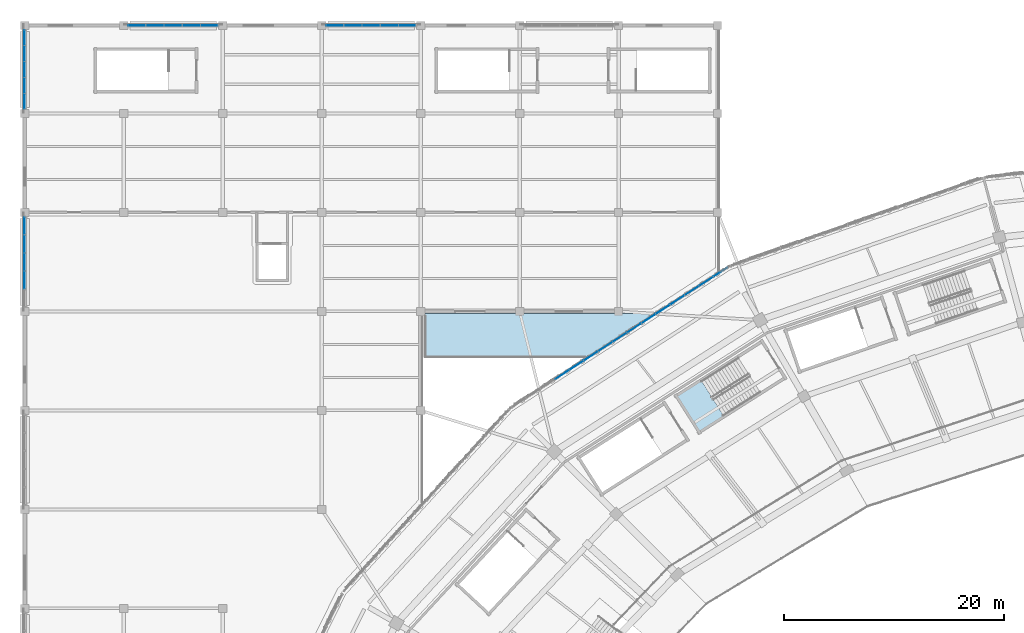
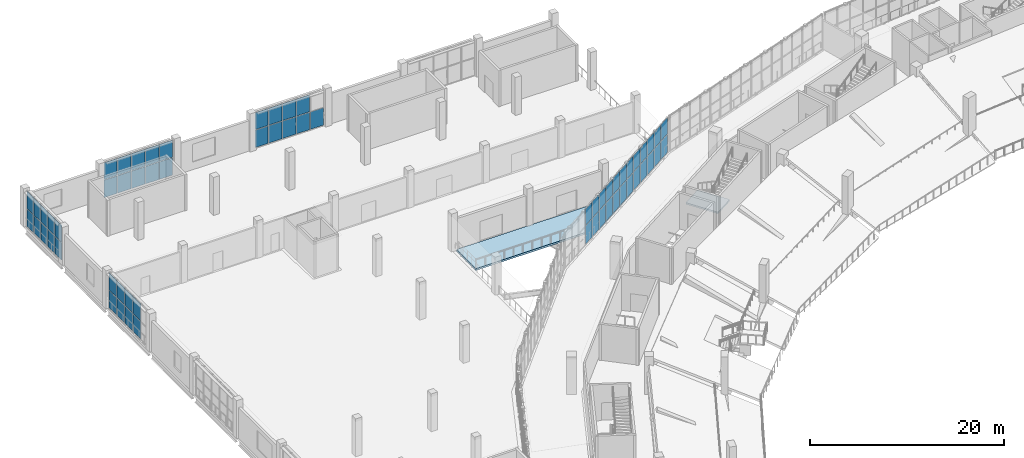
# One storey, part 83 of 152: 61 plates, 2 slabs, 6 elements without a shape of their own.
"""IFC4 building model written with IfcOpenShell, lengths in metres."""

from ifc_helpers import new_model, si_unit, direction, frame, origin, origin_2d, place, context, subcontext, project, spatial, polyline, rectangle, outline, extrude, material, layer, layer_set, type_object, element, aggregate, save


model = new_model("IFC4")

# Units and contexts
model_context = context("Model", 3, precision=1e-05, world=origin(), true_north=direction((0.0, 1.0)))
body_context = subcontext(model_context, "Body", "Model", "MODEL_VIEW")
ifc_project = project(units=[si_unit("LENGTHUNIT", "METRE"), si_unit("AREAUNIT", "SQUARE_METRE"), si_unit("VOLUMEUNIT", "CUBIC_METRE"), si_unit("PLANEANGLEUNIT", "RADIAN"), si_unit("MASSUNIT", "GRAM", prefix="KILO")], contexts=[model_context])

# Site, building, storey
site_placement = place(None, origin())
site = spatial("IfcSite", under=ifc_project, at=site_placement, CompositionType="ELEMENT")
building_placement = place(site_placement, origin())
building = spatial("IfcBuilding", under=site, at=building_placement, Name="Zevraka Park Crest Stadium", CompositionType="ELEMENT")
storey_placement = place(building_placement, frame((0.0, 0.0, 15.0)))
storey = spatial("IfcBuildingStorey", under=building, at=storey_placement, Name="L03", CompositionType="ELEMENT", Elevation=15.0)

# Curtain wall, plates
ifc_material_1 = material(Name="Anodised architectural aluminium and laminated safety glass", Category="aluminium")
curtain_wall_type_1 = type_object("IfcCurtainWallType", Name="CW13", PredefinedType="NOTDEFINED", material=ifc_material_1)
curtain_wall_1_placement = place(storey_placement, origin())
curtain_wall_1 = element("IfcCurtainWall", 1, at=curtain_wall_1_placement, inside=storey, type_object=curtain_wall_type_1, Name="Unitised Ring Curtain Wall CW13 L03-08", PredefinedType="NOTDEFINED")
ifc_material_2 = material(Name="Solar-control laminated double glazing", Category="glass")
ifc_layer_1 = layer(ifc_material_2, 0.031982421875)
ifc_layer_set_1 = layer_set([ifc_layer_1], Name="Solar-control laminated double glazing")
plate_type_1 = type_object("IfcPlateType", Name="CP13", PredefinedType="CURTAIN_PANEL", material=ifc_layer_set_1)
plate_1_placement = place(storey_placement, frame((63.258544921875, 161.57275390625, 0.06005859375), z_axis=(0.0, 0.0, 1.0), x_axis=(-0.839429134517, -0.543469160232, 0.0)))
plate_1 = element("IfcPlate", 2, at=plate_1_placement, type_object=plate_type_1, Name="CW13 panel 1.1", PredefinedType="CURTAIN_PANEL", context=body_context, shape_type="SweptSolid", body=[
    extrude(rectangle(XDim=1.470458984375, YDim=0.031982421875, at=origin_2d()), origin(), (0.0, 0.0, 1.0), 2.31005859375),
])
plate_2_placement = place(storey_placement, frame((63.258544921875, 161.57275390625, 2.43017578125), z_axis=(0.0, 0.0, 1.0), x_axis=(-0.839429134517, -0.543469160232, 0.0)))
plate_2 = element("IfcPlate", 3, at=plate_2_placement, type_object=plate_type_1, Name="CW13 panel 1.2", PredefinedType="CURTAIN_PANEL", context=body_context, shape_type="SweptSolid", body=[
    extrude(rectangle(XDim=1.470458984375, YDim=0.031982421875, at=origin_2d()), origin(), (0.0, 0.0, 1.0), 2.050048828125),
])
plate_3_placement = place(storey_placement, frame((61.961181640625, 160.73291015625, 0.06005859375), z_axis=(0.0, 0.0, 1.0), x_axis=(-0.839429134517, -0.543469160232, 0.0)))
plate_3 = element("IfcPlate", 4, at=plate_3_placement, type_object=plate_type_1, Name="CW13 panel 2.1", PredefinedType="CURTAIN_PANEL", context=body_context, shape_type="SweptSolid", body=[
    extrude(rectangle(XDim=1.500244140625, YDim=0.031982421875, at=origin_2d()), origin(), (0.0, 0.0, 1.0), 2.31005859375),
])
plate_4_placement = place(storey_placement, frame((61.961181640625, 160.73291015625, 2.43017578125), z_axis=(0.0, 0.0, 1.0), x_axis=(-0.839429134517, -0.543469160232, 0.0)))
plate_4 = element("IfcPlate", 5, at=plate_4_placement, type_object=plate_type_1, Name="CW13 panel 2.2", PredefinedType="CURTAIN_PANEL", context=body_context, shape_type="SweptSolid", body=[
    extrude(rectangle(XDim=1.500244140625, YDim=0.031982421875, at=origin_2d()), origin(), (0.0, 0.0, 1.0), 2.050048828125),
])
plate_5_placement = place(storey_placement, frame((60.651611328125, 159.885009765625, 0.06005859375), z_axis=(0.0, 0.0, 1.0), x_axis=(-0.839429134517, -0.543469160232, 0.0)))
plate_5 = element("IfcPlate", 6, at=plate_5_placement, type_object=plate_type_1, Name="CW13 panel 3.1", PredefinedType="CURTAIN_PANEL", context=body_context, shape_type="SweptSolid", body=[
    extrude(rectangle(XDim=1.500244140625, YDim=0.031982421875, at=origin_2d()), origin(), (0.0, 0.0, 1.0), 2.31005859375),
])
plate_6_placement = place(storey_placement, frame((60.651611328125, 159.885009765625, 2.43017578125), z_axis=(0.0, 0.0, 1.0), x_axis=(-0.839429134517, -0.543469160232, 0.0)))
plate_6 = element("IfcPlate", 7, at=plate_6_placement, type_object=plate_type_1, Name="CW13 panel 3.2", PredefinedType="CURTAIN_PANEL", context=body_context, shape_type="SweptSolid", body=[
    extrude(rectangle(XDim=1.500244140625, YDim=0.031982421875, at=origin_2d()), origin(), (0.0, 0.0, 1.0), 2.050048828125),
])
plate_7_placement = place(storey_placement, frame((59.341796875, 159.037109375, 0.06005859375), z_axis=(0.0, 0.0, 1.0), x_axis=(-0.839429134517, -0.543469160232, 0.0)))
plate_7 = element("IfcPlate", 8, at=plate_7_placement, type_object=plate_type_1, Name="CW13 panel 4.1", PredefinedType="CURTAIN_PANEL", context=body_context, shape_type="SweptSolid", body=[
    extrude(rectangle(XDim=1.500244140625, YDim=0.031982421875, at=origin_2d()), origin(), (0.0, 0.0, 1.0), 2.31005859375),
])
plate_8_placement = place(storey_placement, frame((59.341796875, 159.037109375, 2.43017578125), z_axis=(0.0, 0.0, 1.0), x_axis=(-0.839429134517, -0.543469160232, 0.0)))
plate_8 = element("IfcPlate", 9, at=plate_8_placement, type_object=plate_type_1, Name="CW13 panel 4.2", PredefinedType="CURTAIN_PANEL", context=body_context, shape_type="SweptSolid", body=[
    extrude(rectangle(XDim=1.500244140625, YDim=0.031982421875, at=origin_2d()), origin(), (0.0, 0.0, 1.0), 2.050048828125),
])
plate_9_placement = place(storey_placement, frame((58.031982421875, 158.18896484375, 0.06005859375), z_axis=(0.0, 0.0, 1.0), x_axis=(-0.839429134517, -0.543469160232, 0.0)))
plate_9 = element("IfcPlate", 10, at=plate_9_placement, type_object=plate_type_1, Name="CW13 panel 5.1", PredefinedType="CURTAIN_PANEL", context=body_context, shape_type="SweptSolid", body=[
    extrude(rectangle(XDim=1.500244140625, YDim=0.031982421875, at=origin_2d()), origin(), (0.0, 0.0, 1.0), 2.31005859375),
])
plate_10_placement = place(storey_placement, frame((58.031982421875, 158.18896484375, 2.43017578125), z_axis=(0.0, 0.0, 1.0), x_axis=(-0.839429134517, -0.543469160232, 0.0)))
plate_10 = element("IfcPlate", 11, at=plate_10_placement, type_object=plate_type_1, Name="CW13 panel 5.2", PredefinedType="CURTAIN_PANEL", context=body_context, shape_type="SweptSolid", body=[
    extrude(rectangle(XDim=1.500244140625, YDim=0.031982421875, at=origin_2d()), origin(), (0.0, 0.0, 1.0), 2.050048828125),
])
plate_11_placement = place(storey_placement, frame((56.72216796875, 157.341064453125, 0.06005859375), z_axis=(0.0, 0.0, 1.0), x_axis=(-0.839429134517, -0.543469160232, 0.0)))
plate_11 = element("IfcPlate", 12, at=plate_11_placement, type_object=plate_type_1, Name="CW13 panel 6.1", PredefinedType="CURTAIN_PANEL", context=body_context, shape_type="SweptSolid", body=[
    extrude(rectangle(XDim=1.500244140625, YDim=0.031982421875, at=origin_2d()), origin(), (0.0, 0.0, 1.0), 2.31005859375),
])
plate_12_placement = place(storey_placement, frame((56.72216796875, 157.341064453125, 2.43017578125), z_axis=(0.0, 0.0, 1.0), x_axis=(-0.839429134517, -0.543469160232, 0.0)))
plate_12 = element("IfcPlate", 13, at=plate_12_placement, type_object=plate_type_1, Name="CW13 panel 6.2", PredefinedType="CURTAIN_PANEL", context=body_context, shape_type="SweptSolid", body=[
    extrude(rectangle(XDim=1.500244140625, YDim=0.031982421875, at=origin_2d()), origin(), (0.0, 0.0, 1.0), 2.050048828125),
])
plate_13_placement = place(storey_placement, frame((55.412353515625, 156.492919921875, 0.06005859375), z_axis=(0.0, 0.0, 1.0), x_axis=(-0.839429134517, -0.543469160232, 0.0)))
plate_13 = element("IfcPlate", 14, at=plate_13_placement, type_object=plate_type_1, Name="CW13 panel 7.1", PredefinedType="CURTAIN_PANEL", context=body_context, shape_type="SweptSolid", body=[
    extrude(rectangle(XDim=1.500244140625, YDim=0.031982421875, at=origin_2d()), origin(), (0.0, 0.0, 1.0), 2.31005859375),
])
plate_14_placement = place(storey_placement, frame((55.412353515625, 156.492919921875, 2.43017578125), z_axis=(0.0, 0.0, 1.0), x_axis=(-0.839429134517, -0.543469160232, 0.0)))
plate_14 = element("IfcPlate", 15, at=plate_14_placement, type_object=plate_type_1, Name="CW13 panel 7.2", PredefinedType="CURTAIN_PANEL", context=body_context, shape_type="SweptSolid", body=[
    extrude(rectangle(XDim=1.500244140625, YDim=0.031982421875, at=origin_2d()), origin(), (0.0, 0.0, 1.0), 2.050048828125),
])
plate_15_placement = place(storey_placement, frame((54.1025390625, 155.64501953125, 0.06005859375), z_axis=(0.0, 0.0, 1.0), x_axis=(-0.839429134517, -0.543469160232, 0.0)))
plate_15 = element("IfcPlate", 16, at=plate_15_placement, type_object=plate_type_1, Name="CW13 panel 8.1", PredefinedType="CURTAIN_PANEL", context=body_context, shape_type="SweptSolid", body=[
    extrude(rectangle(XDim=1.500244140625, YDim=0.031982421875, at=origin_2d()), origin(), (0.0, 0.0, 1.0), 2.31005859375),
])
plate_16_placement = place(storey_placement, frame((54.1025390625, 155.64501953125, 2.43017578125), z_axis=(0.0, 0.0, 1.0), x_axis=(-0.839429134517, -0.543469160232, 0.0)))
plate_16 = element("IfcPlate", 17, at=plate_16_placement, type_object=plate_type_1, Name="CW13 panel 8.2", PredefinedType="CURTAIN_PANEL", context=body_context, shape_type="SweptSolid", body=[
    extrude(rectangle(XDim=1.500244140625, YDim=0.031982421875, at=origin_2d()), origin(), (0.0, 0.0, 1.0), 2.050048828125),
])
plate_17_placement = place(storey_placement, frame((52.792724609375, 154.797119140625, 0.06005859375), z_axis=(0.0, 0.0, 1.0), x_axis=(-0.839429134517, -0.543469160232, 0.0)))
plate_17 = element("IfcPlate", 18, at=plate_17_placement, type_object=plate_type_1, Name="CW13 panel 9.1", PredefinedType="CURTAIN_PANEL", context=body_context, shape_type="SweptSolid", body=[
    extrude(rectangle(XDim=1.500244140625, YDim=0.031982421875, at=origin_2d()), origin(), (0.0, 0.0, 1.0), 2.31005859375),
])
plate_18_placement = place(storey_placement, frame((52.792724609375, 154.797119140625, 2.43017578125), z_axis=(0.0, 0.0, 1.0), x_axis=(-0.839429134517, -0.543469160232, 0.0)))
plate_18 = element("IfcPlate", 19, at=plate_18_placement, type_object=plate_type_1, Name="CW13 panel 9.2", PredefinedType="CURTAIN_PANEL", context=body_context, shape_type="SweptSolid", body=[
    extrude(rectangle(XDim=1.500244140625, YDim=0.031982421875, at=origin_2d()), origin(), (0.0, 0.0, 1.0), 2.050048828125),
])
plate_19_placement = place(storey_placement, frame((51.48291015625, 153.948974609375, 0.06005859375), z_axis=(0.0, 0.0, 1.0), x_axis=(-0.839429134517, -0.543469160232, 0.0)))
plate_19 = element("IfcPlate", 20, at=plate_19_placement, type_object=plate_type_1, Name="CW13 panel 10.1", PredefinedType="CURTAIN_PANEL", context=body_context, shape_type="SweptSolid", body=[
    extrude(rectangle(XDim=1.500244140625, YDim=0.031982421875, at=origin_2d()), origin(), (0.0, 0.0, 1.0), 2.31005859375),
])
plate_20_placement = place(storey_placement, frame((51.48291015625, 153.948974609375, 2.43017578125), z_axis=(0.0, 0.0, 1.0), x_axis=(-0.839429134517, -0.543469160232, 0.0)))
plate_20 = element("IfcPlate", 21, at=plate_20_placement, type_object=plate_type_1, Name="CW13 panel 10.2", PredefinedType="CURTAIN_PANEL", context=body_context, shape_type="SweptSolid", body=[
    extrude(rectangle(XDim=1.500244140625, YDim=0.031982421875, at=origin_2d()), origin(), (0.0, 0.0, 1.0), 2.050048828125),
])
plate_21_placement = place(storey_placement, frame((50.173095703125, 153.10107421875, 0.06005859375), z_axis=(0.0, 0.0, 1.0), x_axis=(-0.839429134517, -0.543469160232, 0.0)))
plate_21 = element("IfcPlate", 22, at=plate_21_placement, type_object=plate_type_1, Name="CW13 panel 11.1", PredefinedType="CURTAIN_PANEL", context=body_context, shape_type="SweptSolid", body=[
    extrude(rectangle(XDim=1.500244140625, YDim=0.031982421875, at=origin_2d()), origin(), (0.0, 0.0, 1.0), 2.31005859375),
])
plate_22_placement = place(storey_placement, frame((50.173095703125, 153.10107421875, 2.43017578125), z_axis=(0.0, 0.0, 1.0), x_axis=(-0.839429134517, -0.543469160232, 0.0)))
plate_22 = element("IfcPlate", 23, at=plate_22_placement, type_object=plate_type_1, Name="CW13 panel 11.2", PredefinedType="CURTAIN_PANEL", context=body_context, shape_type="SweptSolid", body=[
    extrude(rectangle(XDim=1.500244140625, YDim=0.031982421875, at=origin_2d()), origin(), (0.0, 0.0, 1.0), 2.050048828125),
])
plate_23_placement = place(storey_placement, frame((48.86328125, 152.2529296875, 0.06005859375), z_axis=(0.0, 0.0, 1.0), x_axis=(-0.839429134517, -0.543469160232, 0.0)))
plate_23 = element("IfcPlate", 24, at=plate_23_placement, type_object=plate_type_1, Name="CW13 panel 12.1", PredefinedType="CURTAIN_PANEL", context=body_context, shape_type="SweptSolid", body=[
    extrude(rectangle(XDim=1.500244140625, YDim=0.031982421875, at=origin_2d()), origin(), (0.0, 0.0, 1.0), 2.31005859375),
])
plate_24_placement = place(storey_placement, frame((48.86328125, 152.2529296875, 2.43017578125), z_axis=(0.0, 0.0, 1.0), x_axis=(-0.839429134517, -0.543469160232, 0.0)))
plate_24 = element("IfcPlate", 25, at=plate_24_placement, type_object=plate_type_1, Name="CW13 panel 12.2", PredefinedType="CURTAIN_PANEL", context=body_context, shape_type="SweptSolid", body=[
    extrude(rectangle(XDim=1.500244140625, YDim=0.031982421875, at=origin_2d()), origin(), (0.0, 0.0, 1.0), 2.050048828125),
])
aggregate(curtain_wall_1, [plate_1, plate_2, plate_3, plate_4, plate_5, plate_6, plate_7, plate_8, plate_9, plate_10, plate_11, plate_12, plate_13, plate_14, plate_15, plate_16, plate_17, plate_18, plate_19, plate_20, plate_21, plate_22, plate_23, plate_24])

ifc_material_3 = material(Name="Anodised architectural aluminium and laminated safety glass", Category="aluminium")
curtain_wall_type_2 = type_object("IfcCurtainWallType", Name="CW26", PredefinedType="NOTDEFINED", material=ifc_material_3)
curtain_wall_2_placement = place(storey_placement, origin())
curtain_wall_2 = element("IfcCurtainWall", 26, at=curtain_wall_2_placement, inside=storey, type_object=curtain_wall_type_2, Name="Wing Curtain Wall CW26 L03-NW-W-8", PredefinedType="NOTDEFINED")
ifc_material_4 = material(Name="Solar-control laminated double glazing", Category="glass")
ifc_layer_2 = layer(ifc_material_4, 0.035888671875)
ifc_layer_set_2 = layer_set([ifc_layer_2], Name="Solar-control laminated double glazing")
plate_type_2 = type_object("IfcPlateType", Name="CP26", PredefinedType="CURTAIN_PANEL", material=ifc_layer_set_2)
plate_25_placement = place(storey_placement, frame((0.0, 177.108154296875, 0.06494140625), z_axis=(0.0, 0.0, 1.0), x_axis=(0.0, 1.0, 0.0)))
plate_25 = element("IfcPlate", 27, at=plate_25_placement, type_object=plate_type_2, Name="CW26 panel 1.1", PredefinedType="CURTAIN_PANEL", context=body_context, shape_type="SweptSolid", body=[
    extrude(rectangle(XDim=1.3564453125, YDim=0.035888671875, at=origin_2d()), origin(), (0.0, 0.0, 1.0), 2.202392578125),
])
plate_26_placement = place(storey_placement, frame((0.0, 177.108154296875, 2.33251953125), z_axis=(0.0, 0.0, 1.0), x_axis=(0.0, 1.0, 0.0)))
plate_26 = element("IfcPlate", 28, at=plate_26_placement, type_object=plate_type_2, Name="CW26 panel 1.2", PredefinedType="CURTAIN_PANEL", context=body_context, shape_type="SweptSolid", body=[
    extrude(rectangle(XDim=1.3564453125, YDim=0.035888671875, at=origin_2d()), origin(), (0.0, 0.0, 1.0), 2.142578125),
])
plate_27_placement = place(storey_placement, frame((0.0, 178.5458984375, 0.06494140625), z_axis=(0.0, 0.0, 1.0), x_axis=(0.0, 1.0, 0.0)))
plate_27 = element("IfcPlate", 29, at=plate_27_placement, type_object=plate_type_2, Name="CW26 panel 2.1", PredefinedType="CURTAIN_PANEL", context=body_context, shape_type="SweptSolid", body=[
    extrude(rectangle(XDim=1.388916015625, YDim=0.035888671875, at=origin_2d()), origin(), (0.0, 0.0, 1.0), 2.202392578125),
])
plate_28_placement = place(storey_placement, frame((0.0, 178.5458984375, 2.33251953125), z_axis=(0.0, 0.0, 1.0), x_axis=(0.0, 1.0, 0.0)))
plate_28 = element("IfcPlate", 30, at=plate_28_placement, type_object=plate_type_2, Name="CW26 panel 2.2", PredefinedType="CURTAIN_PANEL", context=body_context, shape_type="SweptSolid", body=[
    extrude(rectangle(XDim=1.388916015625, YDim=0.035888671875, at=origin_2d()), origin(), (0.0, 0.0, 1.0), 2.142578125),
])
plate_29_placement = place(storey_placement, frame((0.0, 180.0, 0.06494140625), z_axis=(0.0, 0.0, 1.0), x_axis=(0.0, 1.0, 0.0)))
plate_29 = element("IfcPlate", 31, at=plate_29_placement, type_object=plate_type_2, Name="CW26 panel 3.1", PredefinedType="CURTAIN_PANEL", context=body_context, shape_type="SweptSolid", body=[
    extrude(rectangle(XDim=1.388916015625, YDim=0.035888671875, at=origin_2d()), origin(), (0.0, 0.0, 1.0), 2.202392578125),
])
plate_30_placement = place(storey_placement, frame((0.0, 180.0, 2.33251953125), z_axis=(0.0, 0.0, 1.0), x_axis=(0.0, 1.0, 0.0)))
plate_30 = element("IfcPlate", 32, at=plate_30_placement, type_object=plate_type_2, Name="CW26 panel 3.2", PredefinedType="CURTAIN_PANEL", context=body_context, shape_type="SweptSolid", body=[
    extrude(rectangle(XDim=1.388916015625, YDim=0.035888671875, at=origin_2d()), origin(), (0.0, 0.0, 1.0), 2.142578125),
])
plate_31_placement = place(storey_placement, frame((0.0, 181.4541015625, 0.06494140625), z_axis=(0.0, 0.0, 1.0), x_axis=(0.0, 1.0, 0.0)))
plate_31 = element("IfcPlate", 33, at=plate_31_placement, type_object=plate_type_2, Name="CW26 panel 4.1", PredefinedType="CURTAIN_PANEL", context=body_context, shape_type="SweptSolid", body=[
    extrude(rectangle(XDim=1.388916015625, YDim=0.035888671875, at=origin_2d()), origin(), (0.0, 0.0, 1.0), 2.202392578125),
])
plate_32_placement = place(storey_placement, frame((0.0, 181.4541015625, 2.33251953125), z_axis=(0.0, 0.0, 1.0), x_axis=(0.0, 1.0, 0.0)))
plate_32 = element("IfcPlate", 34, at=plate_32_placement, type_object=plate_type_2, Name="CW26 panel 4.2", PredefinedType="CURTAIN_PANEL", context=body_context, shape_type="SweptSolid", body=[
    extrude(rectangle(XDim=1.388916015625, YDim=0.035888671875, at=origin_2d()), origin(), (0.0, 0.0, 1.0), 2.142578125),
])
plate_33_placement = place(storey_placement, frame((0.0, 182.891845703125, 0.06494140625), z_axis=(0.0, 0.0, 1.0), x_axis=(0.0, 1.0, 0.0)))
plate_33 = element("IfcPlate", 35, at=plate_33_placement, type_object=plate_type_2, Name="CW26 panel 5.1", PredefinedType="CURTAIN_PANEL", context=body_context, shape_type="SweptSolid", body=[
    extrude(rectangle(XDim=1.3564453125, YDim=0.035888671875, at=origin_2d()), origin(), (0.0, 0.0, 1.0), 2.202392578125),
])
plate_34_placement = place(storey_placement, frame((0.0, 182.891845703125, 2.33251953125), z_axis=(0.0, 0.0, 1.0), x_axis=(0.0, 1.0, 0.0)))
plate_34 = element("IfcPlate", 36, at=plate_34_placement, type_object=plate_type_2, Name="CW26 panel 5.2", PredefinedType="CURTAIN_PANEL", context=body_context, shape_type="SweptSolid", body=[
    extrude(rectangle(XDim=1.3564453125, YDim=0.035888671875, at=origin_2d()), origin(), (0.0, 0.0, 1.0), 2.142578125),
])
aggregate(curtain_wall_2, [plate_25, plate_26, plate_27, plate_28, plate_29, plate_30, plate_31, plate_32, plate_33, plate_34])

ifc_material_5 = material(Name="Anodised architectural aluminium and laminated safety glass", Category="aluminium")
curtain_wall_type_3 = type_object("IfcCurtainWallType", Name="CW27", PredefinedType="NOTDEFINED", material=ifc_material_5)
curtain_wall_3_placement = place(storey_placement, origin())
curtain_wall_3 = element("IfcCurtainWall", 37, at=curtain_wall_3_placement, inside=storey, type_object=curtain_wall_type_3, Name="Wing Curtain Wall CW27 L03-NW-N2-4", PredefinedType="NOTDEFINED")
ifc_material_6 = material(Name="Solar-control laminated double glazing", Category="glass")
ifc_layer_3 = layer(ifc_material_6, 0.035888671875)
ifc_layer_set_3 = layer_set([ifc_layer_3], Name="Solar-control laminated double glazing")
plate_type_3 = type_object("IfcPlateType", Name="CP27", PredefinedType="CURTAIN_PANEL", material=ifc_layer_set_3)
plate_35_placement = place(storey_placement, frame((28.20947265625, 184.0, 0.06982421875), z_axis=(0.0, 0.0, 1.0), x_axis=(1.0, 0.0, 0.0)))
plate_35 = element("IfcPlate", 38, at=plate_35_placement, type_object=plate_type_3, Name="CW27 panel 1.1", PredefinedType="CURTAIN_PANEL", context=body_context, shape_type="SweptSolid", body=[
    extrude(rectangle(XDim=1.549072265625, YDim=0.035888671875, at=origin_2d()), origin(), (0.0, 0.0, 1.0), 2.195068359375),
])
plate_36_placement = place(storey_placement, frame((28.20947265625, 184.0, 2.3349609375), z_axis=(0.0, 0.0, 1.0), x_axis=(1.0, 0.0, 0.0)))
plate_36 = element("IfcPlate", 39, at=plate_36_placement, type_object=plate_type_3, Name="CW27 panel 1.2", PredefinedType="CURTAIN_PANEL", context=body_context, shape_type="SweptSolid", body=[
    extrude(rectangle(XDim=1.549072265625, YDim=0.035888671875, at=origin_2d()), origin(), (0.0, 0.0, 1.0), 2.135009765625),
])
plate_37_placement = place(storey_placement, frame((29.845947265625, 184.0, 0.06982421875), z_axis=(0.0, 0.0, 1.0), x_axis=(1.0, 0.0, 0.0)))
plate_37 = element("IfcPlate", 40, at=plate_37_placement, type_object=plate_type_3, Name="CW27 panel 2.1", PredefinedType="CURTAIN_PANEL", context=body_context, shape_type="SweptSolid", body=[
    extrude(rectangle(XDim=1.583984375, YDim=0.035888671875, at=origin_2d()), origin(), (0.0, 0.0, 1.0), 2.195068359375),
])
plate_38_placement = place(storey_placement, frame((29.845947265625, 184.0, 2.3349609375), z_axis=(0.0, 0.0, 1.0), x_axis=(1.0, 0.0, 0.0)))
plate_38 = element("IfcPlate", 41, at=plate_38_placement, type_object=plate_type_3, Name="CW27 panel 2.2", PredefinedType="CURTAIN_PANEL", context=body_context, shape_type="SweptSolid", body=[
    extrude(rectangle(XDim=1.583984375, YDim=0.035888671875, at=origin_2d()), origin(), (0.0, 0.0, 1.0), 2.135009765625),
])
plate_39_placement = place(storey_placement, frame((31.5, 184.0, 0.06982421875), z_axis=(0.0, 0.0, 1.0), x_axis=(1.0, 0.0, 0.0)))
plate_39 = element("IfcPlate", 42, at=plate_39_placement, type_object=plate_type_3, Name="CW27 panel 3.1", PredefinedType="CURTAIN_PANEL", context=body_context, shape_type="SweptSolid", body=[
    extrude(rectangle(XDim=1.583984375, YDim=0.035888671875, at=origin_2d()), origin(), (0.0, 0.0, 1.0), 2.195068359375),
])
plate_40_placement = place(storey_placement, frame((31.5, 184.0, 2.3349609375), z_axis=(0.0, 0.0, 1.0), x_axis=(1.0, 0.0, 0.0)))
plate_40 = element("IfcPlate", 43, at=plate_40_placement, type_object=plate_type_3, Name="CW27 panel 3.2", PredefinedType="CURTAIN_PANEL", context=body_context, shape_type="SweptSolid", body=[
    extrude(rectangle(XDim=1.583984375, YDim=0.035888671875, at=origin_2d()), origin(), (0.0, 0.0, 1.0), 2.135009765625),
])
plate_41_placement = place(storey_placement, frame((33.154052734375, 184.0, 0.06982421875), z_axis=(0.0, 0.0, 1.0), x_axis=(1.0, 0.0, 0.0)))
plate_41 = element("IfcPlate", 44, at=plate_41_placement, type_object=plate_type_3, Name="CW27 panel 4.1", PredefinedType="CURTAIN_PANEL", context=body_context, shape_type="SweptSolid", body=[
    extrude(rectangle(XDim=1.583984375, YDim=0.035888671875, at=origin_2d()), origin(), (0.0, 0.0, 1.0), 2.195068359375),
])
plate_42_placement = place(storey_placement, frame((33.154052734375, 184.0, 2.3349609375), z_axis=(0.0, 0.0, 1.0), x_axis=(1.0, 0.0, 0.0)))
plate_42 = element("IfcPlate", 45, at=plate_42_placement, type_object=plate_type_3, Name="CW27 panel 4.2", PredefinedType="CURTAIN_PANEL", context=body_context, shape_type="SweptSolid", body=[
    extrude(rectangle(XDim=1.583984375, YDim=0.035888671875, at=origin_2d()), origin(), (0.0, 0.0, 1.0), 2.135009765625),
])
plate_43_placement = place(storey_placement, frame((34.79052734375, 184.0, 0.06982421875), z_axis=(0.0, 0.0, 1.0), x_axis=(1.0, 0.0, 0.0)))
plate_43 = element("IfcPlate", 46, at=plate_43_placement, type_object=plate_type_3, Name="CW27 panel 5.1", PredefinedType="CURTAIN_PANEL", context=body_context, shape_type="SweptSolid", body=[
    extrude(rectangle(XDim=1.549072265625, YDim=0.035888671875, at=origin_2d()), origin(), (0.0, 0.0, 1.0), 2.195068359375),
])
aggregate(curtain_wall_3, [plate_35, plate_36, plate_37, plate_38, plate_39, plate_40, plate_41, plate_42, plate_43])

ifc_material_7 = material(Name="Anodised architectural aluminium and laminated safety glass", Category="aluminium")
curtain_wall_type_4 = type_object("IfcCurtainWallType", Name="CW29", PredefinedType="NOTDEFINED", material=ifc_material_7)
curtain_wall_4_placement = place(storey_placement, origin())
curtain_wall_4 = element("IfcCurtainWall", 47, at=curtain_wall_4_placement, inside=storey, type_object=curtain_wall_type_4, Name="Wing Curtain Wall CW29 L03-NW-W-6", PredefinedType="NOTDEFINED")
ifc_material_8 = material(Name="Solar-control laminated double glazing", Category="glass")
ifc_layer_4 = layer(ifc_material_8, 0.035888671875)
ifc_layer_set_4 = layer_set([ifc_layer_4], Name="Solar-control laminated double glazing")
plate_type_4 = type_object("IfcPlateType", Name="CP29", PredefinedType="CURTAIN_PANEL", material=ifc_layer_set_4)
plate_44_placement = place(storey_placement, frame((0.0, 160.845947265625, 0.06494140625), z_axis=(0.0, 0.0, 1.0), x_axis=(0.0, 1.0, 0.0)))
plate_44 = element("IfcPlate", 48, at=plate_44_placement, type_object=plate_type_4, Name="CW29 panel 2.1", PredefinedType="CURTAIN_PANEL", context=body_context, shape_type="SweptSolid", body=[
    extrude(rectangle(XDim=1.589111328125, YDim=0.035888671875, at=origin_2d()), origin(), (0.0, 0.0, 1.0), 2.202392578125),
])
plate_45_placement = place(storey_placement, frame((0.0, 160.845947265625, 2.33251953125), z_axis=(0.0, 0.0, 1.0), x_axis=(0.0, 1.0, 0.0)))
plate_45 = element("IfcPlate", 49, at=plate_45_placement, type_object=plate_type_4, Name="CW29 panel 2.2", PredefinedType="CURTAIN_PANEL", context=body_context, shape_type="SweptSolid", body=[
    extrude(rectangle(XDim=1.589111328125, YDim=0.035888671875, at=origin_2d()), origin(), (0.0, 0.0, 1.0), 2.142578125),
])
plate_46_placement = place(storey_placement, frame((0.0, 162.5, 0.06494140625), z_axis=(0.0, 0.0, 1.0), x_axis=(0.0, 1.0, 0.0)))
plate_46 = element("IfcPlate", 50, at=plate_46_placement, type_object=plate_type_4, Name="CW29 panel 3.1", PredefinedType="CURTAIN_PANEL", context=body_context, shape_type="SweptSolid", body=[
    extrude(rectangle(XDim=1.589111328125, YDim=0.035888671875, at=origin_2d()), origin(), (0.0, 0.0, 1.0), 2.202392578125),
])
plate_47_placement = place(storey_placement, frame((0.0, 162.5, 2.33251953125), z_axis=(0.0, 0.0, 1.0), x_axis=(0.0, 1.0, 0.0)))
plate_47 = element("IfcPlate", 51, at=plate_47_placement, type_object=plate_type_4, Name="CW29 panel 3.2", PredefinedType="CURTAIN_PANEL", context=body_context, shape_type="SweptSolid", body=[
    extrude(rectangle(XDim=1.589111328125, YDim=0.035888671875, at=origin_2d()), origin(), (0.0, 0.0, 1.0), 2.142578125),
])
plate_48_placement = place(storey_placement, frame((0.0, 164.154052734375, 0.06494140625), z_axis=(0.0, 0.0, 1.0), x_axis=(0.0, 1.0, 0.0)))
plate_48 = element("IfcPlate", 52, at=plate_48_placement, type_object=plate_type_4, Name="CW29 panel 4.1", PredefinedType="CURTAIN_PANEL", context=body_context, shape_type="SweptSolid", body=[
    extrude(rectangle(XDim=1.589111328125, YDim=0.035888671875, at=origin_2d()), origin(), (0.0, 0.0, 1.0), 2.202392578125),
])
plate_49_placement = place(storey_placement, frame((0.0, 164.154052734375, 2.33251953125), z_axis=(0.0, 0.0, 1.0), x_axis=(0.0, 1.0, 0.0)))
plate_49 = element("IfcPlate", 53, at=plate_49_placement, type_object=plate_type_4, Name="CW29 panel 4.2", PredefinedType="CURTAIN_PANEL", context=body_context, shape_type="SweptSolid", body=[
    extrude(rectangle(XDim=1.589111328125, YDim=0.035888671875, at=origin_2d()), origin(), (0.0, 0.0, 1.0), 2.142578125),
])
plate_50_placement = place(storey_placement, frame((0.0, 165.791748046875, 0.06494140625), z_axis=(0.0, 0.0, 1.0), x_axis=(0.0, 1.0, 0.0)))
plate_50 = element("IfcPlate", 54, at=plate_50_placement, type_object=plate_type_4, Name="CW29 panel 5.1", PredefinedType="CURTAIN_PANEL", context=body_context, shape_type="SweptSolid", body=[
    extrude(rectangle(XDim=1.556396484375, YDim=0.035888671875, at=origin_2d()), origin(), (0.0, 0.0, 1.0), 2.202392578125),
])
plate_51_placement = place(storey_placement, frame((0.0, 165.791748046875, 2.33251953125), z_axis=(0.0, 0.0, 1.0), x_axis=(0.0, 1.0, 0.0)))
plate_51 = element("IfcPlate", 55, at=plate_51_placement, type_object=plate_type_4, Name="CW29 panel 5.2", PredefinedType="CURTAIN_PANEL", context=body_context, shape_type="SweptSolid", body=[
    extrude(rectangle(XDim=1.556396484375, YDim=0.035888671875, at=origin_2d()), origin(), (0.0, 0.0, 1.0), 2.142578125),
])
aggregate(curtain_wall_4, [plate_44, plate_45, plate_46, plate_47, plate_48, plate_49, plate_50, plate_51])

ifc_material_9 = material(Name="Anodised architectural aluminium and laminated safety glass", Category="aluminium")
curtain_wall_type_5 = type_object("IfcCurtainWallType", Name="CW30", PredefinedType="NOTDEFINED", material=ifc_material_9)
curtain_wall_5_placement = place(storey_placement, origin())
curtain_wall_5 = element("IfcCurtainWall", 56, at=curtain_wall_5_placement, inside=storey, type_object=curtain_wall_type_5, Name="Wing Curtain Wall CW30 L03-NW-N2-2", PredefinedType="NOTDEFINED")
ifc_material_10 = material(Name="Solar-control laminated double glazing", Category="glass")
ifc_layer_5 = layer(ifc_material_10, 0.035888671875)
ifc_layer_set_5 = layer_set([ifc_layer_5], Name="Solar-control laminated double glazing")
plate_type_5 = type_object("IfcPlateType", Name="CP30", PredefinedType="CURTAIN_PANEL", material=ifc_layer_set_5)
plate_52_placement = place(storey_placement, frame((10.20947265625, 184.0, 0.06982421875), z_axis=(0.0, 0.0, 1.0), x_axis=(1.0, 0.0, 0.0)))
plate_52 = element("IfcPlate", 57, at=plate_52_placement, type_object=plate_type_5, Name="CW30 panel 1.1", PredefinedType="CURTAIN_PANEL", context=body_context, shape_type="SweptSolid", body=[
    extrude(rectangle(XDim=1.549072265625, YDim=0.035888671875, at=origin_2d()), origin(), (0.0, 0.0, 1.0), 2.195068359375),
])
plate_53_placement = place(storey_placement, frame((10.20947265625, 184.0, 2.3349609375), z_axis=(0.0, 0.0, 1.0), x_axis=(1.0, 0.0, 0.0)))
plate_53 = element("IfcPlate", 58, at=plate_53_placement, type_object=plate_type_5, Name="CW30 panel 1.2", PredefinedType="CURTAIN_PANEL", context=body_context, shape_type="SweptSolid", body=[
    extrude(rectangle(XDim=1.549072265625, YDim=0.035888671875, at=origin_2d()), origin(), (0.0, 0.0, 1.0), 2.135009765625),
])
plate_54_placement = place(storey_placement, frame((11.845947265625, 184.0, 0.06982421875), z_axis=(0.0, 0.0, 1.0), x_axis=(1.0, 0.0, 0.0)))
plate_54 = element("IfcPlate", 59, at=plate_54_placement, type_object=plate_type_5, Name="CW30 panel 2.1", PredefinedType="CURTAIN_PANEL", context=body_context, shape_type="SweptSolid", body=[
    extrude(rectangle(XDim=1.583984375, YDim=0.035888671875, at=origin_2d()), origin(), (0.0, 0.0, 1.0), 2.195068359375),
])
plate_55_placement = place(storey_placement, frame((11.845947265625, 184.0, 2.3349609375), z_axis=(0.0, 0.0, 1.0), x_axis=(1.0, 0.0, 0.0)))
plate_55 = element("IfcPlate", 60, at=plate_55_placement, type_object=plate_type_5, Name="CW30 panel 2.2", PredefinedType="CURTAIN_PANEL", context=body_context, shape_type="SweptSolid", body=[
    extrude(rectangle(XDim=1.583984375, YDim=0.035888671875, at=origin_2d()), origin(), (0.0, 0.0, 1.0), 2.135009765625),
])
plate_56_placement = place(storey_placement, frame((13.5, 184.0, 0.06982421875), z_axis=(0.0, 0.0, 1.0), x_axis=(1.0, 0.0, 0.0)))
plate_56 = element("IfcPlate", 61, at=plate_56_placement, type_object=plate_type_5, Name="CW30 panel 3.1", PredefinedType="CURTAIN_PANEL", context=body_context, shape_type="SweptSolid", body=[
    extrude(rectangle(XDim=1.583984375, YDim=0.035888671875, at=origin_2d()), origin(), (0.0, 0.0, 1.0), 2.195068359375),
])
plate_57_placement = place(storey_placement, frame((13.5, 184.0, 2.3349609375), z_axis=(0.0, 0.0, 1.0), x_axis=(1.0, 0.0, 0.0)))
plate_57 = element("IfcPlate", 62, at=plate_57_placement, type_object=plate_type_5, Name="CW30 panel 3.2", PredefinedType="CURTAIN_PANEL", context=body_context, shape_type="SweptSolid", body=[
    extrude(rectangle(XDim=1.583984375, YDim=0.035888671875, at=origin_2d()), origin(), (0.0, 0.0, 1.0), 2.135009765625),
])
plate_58_placement = place(storey_placement, frame((15.154052734375, 184.0, 0.06982421875), z_axis=(0.0, 0.0, 1.0), x_axis=(1.0, 0.0, 0.0)))
plate_58 = element("IfcPlate", 63, at=plate_58_placement, type_object=plate_type_5, Name="CW30 panel 4.1", PredefinedType="CURTAIN_PANEL", context=body_context, shape_type="SweptSolid", body=[
    extrude(rectangle(XDim=1.583984375, YDim=0.035888671875, at=origin_2d()), origin(), (0.0, 0.0, 1.0), 2.195068359375),
])
plate_59_placement = place(storey_placement, frame((15.154052734375, 184.0, 2.3349609375), z_axis=(0.0, 0.0, 1.0), x_axis=(1.0, 0.0, 0.0)))
plate_59 = element("IfcPlate", 64, at=plate_59_placement, type_object=plate_type_5, Name="CW30 panel 4.2", PredefinedType="CURTAIN_PANEL", context=body_context, shape_type="SweptSolid", body=[
    extrude(rectangle(XDim=1.583984375, YDim=0.035888671875, at=origin_2d()), origin(), (0.0, 0.0, 1.0), 2.135009765625),
])
plate_60_placement = place(storey_placement, frame((16.79052734375, 184.0, 0.06982421875), z_axis=(0.0, 0.0, 1.0), x_axis=(1.0, 0.0, 0.0)))
plate_60 = element("IfcPlate", 65, at=plate_60_placement, type_object=plate_type_5, Name="CW30 panel 5.1", PredefinedType="CURTAIN_PANEL", context=body_context, shape_type="SweptSolid", body=[
    extrude(rectangle(XDim=1.549072265625, YDim=0.035888671875, at=origin_2d()), origin(), (0.0, 0.0, 1.0), 2.195068359375),
])
plate_61_placement = place(storey_placement, frame((16.79052734375, 184.0, 2.3349609375), z_axis=(0.0, 0.0, 1.0), x_axis=(1.0, 0.0, 0.0)))
plate_61 = element("IfcPlate", 66, at=plate_61_placement, type_object=plate_type_5, Name="CW30 panel 5.2", PredefinedType="CURTAIN_PANEL", context=body_context, shape_type="SweptSolid", body=[
    extrude(rectangle(XDim=1.549072265625, YDim=0.035888671875, at=origin_2d()), origin(), (0.0, 0.0, 1.0), 2.135009765625),
])
aggregate(curtain_wall_5, [plate_52, plate_53, plate_54, plate_55, plate_56, plate_57, plate_58, plate_59, plate_60, plate_61])

# Slab
ifc_material_11 = material(Name="Concrete C35/45", Category="concrete")
ifc_layer_6 = layer(ifc_material_11, 0.239990234375)
ifc_layer_set_6 = layer_set([ifc_layer_6], Name="Concrete C35/45")
slab_type_1 = type_object("IfcSlabType", Name="FS04", PredefinedType="FLOOR", material=ifc_layer_set_6)
slab_1_placement = place(storey_placement, frame((0.0, 0.0, -0.239990234375)))
element("IfcSlab", 67, at=slab_1_placement, inside=storey, type_object=slab_type_1, Name="Outdoor Garden-Court Veranda Slab VER-L03-NW", PredefinedType="FLOOR", context=body_context, shape_type="SweptSolid", body=[
    extrude(outline(polyline([(36.35009765625, 153.800048828125), (36.35009765625, 157.800048828125), (57.238037109375, 157.800048828125), (51.06005859375, 153.800048828125), (36.35009765625, 153.800048828125)])), origin(), (0.0, 0.0, 1.0), 0.239990234375),
])

# Stair, slab
ifc_material_12 = material(Name="Concrete C35/45", Category="concrete")
stair_type = type_object("IfcStairType", Name="STA2", PredefinedType="HALF_TURN_STAIR", material=ifc_material_12)
stair_placement = place(storey_placement, origin())
stair = element("IfcStair", 68, at=stair_placement, inside=storey, type_object=stair_type, Name="L03 Protected Concourse Exit Stair ST09", PredefinedType="HALF_TURN_STAIR")
ifc_material_13 = material(Name="Concrete C35/45", Category="concrete")
ifc_layer_7 = layer(ifc_material_13, 0.199951171875)
ifc_layer_set_7 = layer_set([ifc_layer_7], Name="Concrete C35/45")
slab_type_2 = type_object("IfcSlabType", Name="LS01", PredefinedType="LANDING", material=ifc_layer_set_7)
slab_2_placement = place(storey_placement, frame((0.0, 0.0, 2.199951171875)))
slab_2 = element("IfcSlab", 69, at=slab_2_placement, type_object=slab_type_2, Name="ST09 landing 1", PredefinedType="LANDING", context=body_context, shape_type="SweptSolid", body=[
    extrude(outline(polyline([(61.541015625, 151.69189453125), (59.337158203125, 150.293701171875), (61.3515625, 147.118896484375), (63.555419921875, 148.51708984375), (61.541015625, 151.69189453125)])), origin(), (0.0, 0.0, 1.0), 0.199951171875),
])
aggregate(stair, [slab_2])

save(model, "model.ifc")
